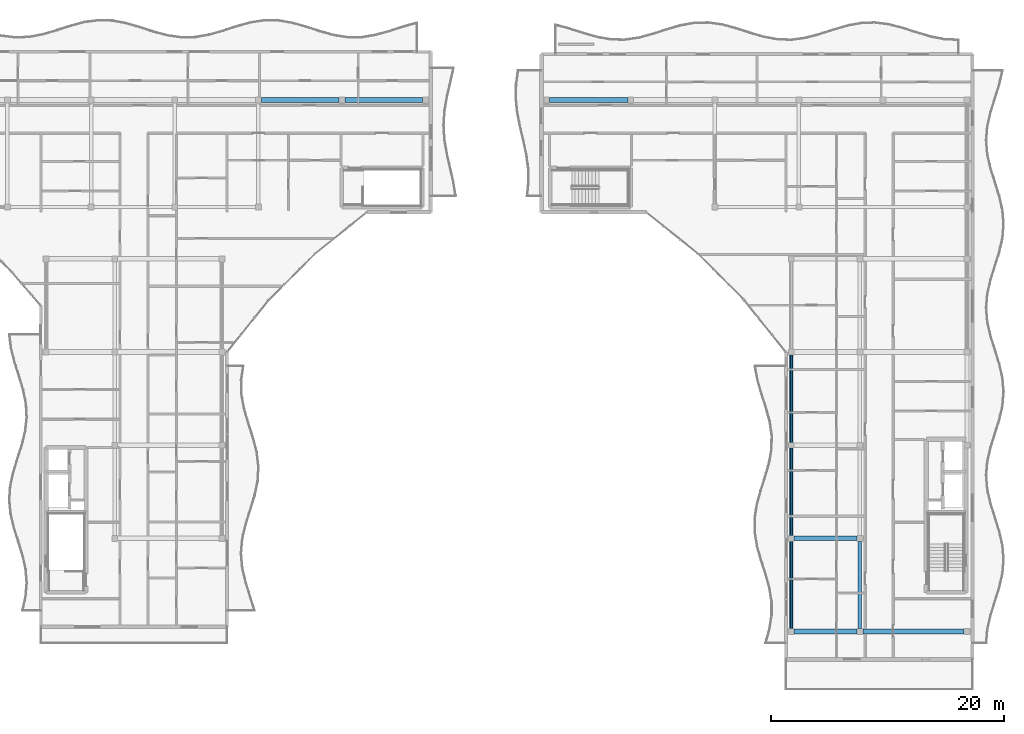
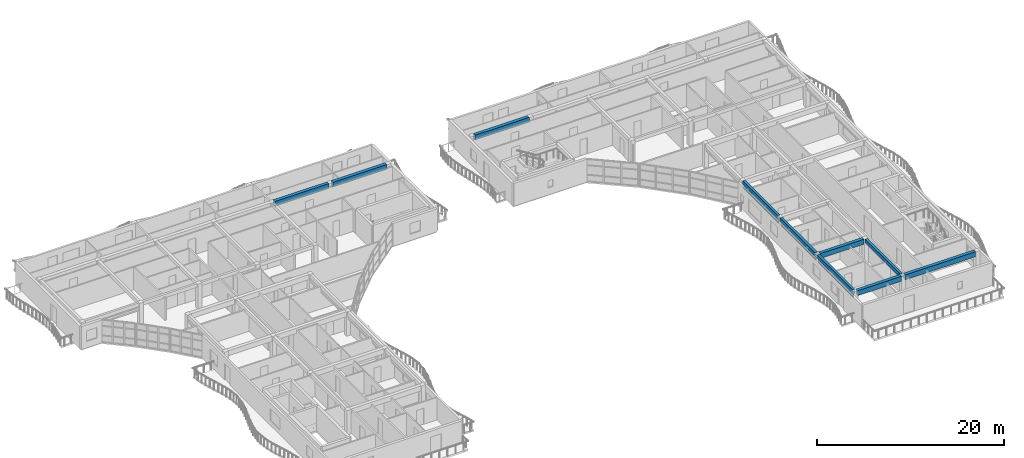
# One storey, part 6 of 30: 10 beams, 6 members.
"""IFC4 building model written with IfcOpenShell, lengths in metres."""

import ifcopenshell
import ifcopenshell.guid

model = None  # the IFC model being written
_history = None  # IfcOwnerHistory: only IFC2X3 demands one
_inside = {}  # id of a spatial element -> (the spatial element, [elements in it])
_under = {}  # id of a project, library or spatial element -> (it, [spatial elements below it])
_declared = {}  # id of a project -> (the project, [libraries it declares])
_typed = {}  # id of a type object -> (the type object, [elements of that type])
_made_of = {}  # id of a material, layer set ... -> (it, [elements and type objects made of it])


def new_model(schema):
    """Start an empty IFC model of exactly this schema.

    Asked for "IFC4X3", IfcOpenShell would pick the latest addendum, in which some entities
    have other attributes; the version numbers below select the first issue.
    IFC2X3 requires an IfcOwnerHistory on every rooted entity: one is made here for all.
    """
    global model, _history
    if schema == "IFC4X3":
        model = ifcopenshell.file(schema_version=(4, 3, 0, 0))
    else:
        model = ifcopenshell.file(schema=schema)
    _inside.clear()
    _under.clear()
    _declared.clear()
    _typed.clear()
    _made_of.clear()
    _history = None
    if model.schema == "IFC2X3":
        org = make("IfcOrganization", Name="unknown")
        user = make(
            "IfcPersonAndOrganization",
            ThePerson=make("IfcPerson", FamilyName="unknown"),
            TheOrganization=org,
        )
        app = make(
            "IfcApplication",
            ApplicationDeveloper=org,
            Version="unknown",
            ApplicationFullName="unknown",
            ApplicationIdentifier="unknown",
        )
        _history = make(
            "IfcOwnerHistory",
            OwningUser=user,
            OwningApplication=app,
            ChangeAction="ADDED",
            CreationDate=0,
        )
    return model


def make(cls, **values):
    """One entity of the class cls with the attributes given. An attribute that is None is left unset."""
    return model.create_entity(
        cls, **{name: value for name, value in values.items() if value is not None}
    )


def rooted(cls, **values):
    """An entity with a GlobalId (a new one), such as an element, a storey or a relation."""
    return make(cls, GlobalId=ifcopenshell.guid.new(), OwnerHistory=_history, **values)


def si_unit(unit_type, name, prefix=None):
    """IfcSIUnit, for example si_unit("LENGTHUNIT", "METRE", prefix="MILLI")."""
    return make("IfcSIUnit", UnitType=unit_type, Prefix=prefix, Name=name)


def assignment(units):
    """IfcUnitAssignment: the units of a project."""
    return None if units is None else make("IfcUnitAssignment", Units=units)


def point(xyz):
    """IfcCartesianPoint."""
    return None if xyz is None else make("IfcCartesianPoint", Coordinates=xyz)


def direction(xyz):
    """IfcDirection."""
    return None if xyz is None else make("IfcDirection", DirectionRatios=xyz)


def frame(location, z_axis=None, x_axis=None):
    """IfcAxis2Placement3D, a coordinate frame: its origin and axes. An axis left out is left unset."""
    return make(
        "IfcAxis2Placement3D",
        Location=point(location),
        Axis=direction(z_axis),
        RefDirection=direction(x_axis),
    )


def frame_2d(location, x_axis=None):
    """IfcAxis2Placement2D, a coordinate frame in the plane: its origin and x axis."""
    return make(
        "IfcAxis2Placement2D", Location=point(location), RefDirection=direction(x_axis)
    )


def origin():
    """The frame at (0, 0, 0) with its axes left unset."""
    return frame((0.0, 0.0, 0.0))


def origin_2d():
    """The frame at (0, 0) in the plane with its x axis left unset."""
    return frame_2d((0.0, 0.0))


def place(relative_to, where):
    """IfcLocalPlacement: puts the frame where relative to a parent placement (None: the world)."""
    return make(
        "IfcLocalPlacement", PlacementRelTo=relative_to, RelativePlacement=where
    )


def context(
    kind, dimensions, precision=None, world=None, true_north=None, identifier=None
):
    """IfcGeometricRepresentationContext, for example the 3D "Model" context."""
    return make(
        "IfcGeometricRepresentationContext",
        ContextIdentifier=identifier,
        ContextType=kind,
        CoordinateSpaceDimension=dimensions,
        Precision=precision,
        WorldCoordinateSystem=world,
        TrueNorth=true_north,
    )


def subcontext(parent, identifier, kind, view, scale=None):
    """IfcGeometricRepresentationSubContext, for example "Body" below "Model"."""
    return make(
        "IfcGeometricRepresentationSubContext",
        ContextIdentifier=identifier,
        ContextType=kind,
        ParentContext=parent,
        TargetScale=scale,
        TargetView=view,
    )


def project(units=None, contexts=None):
    """IfcProject with its units and contexts."""
    return rooted(
        "IfcProject",
        Name="project",
        RepresentationContexts=contexts,
        UnitsInContext=assignment(units),
    )


def spatial(cls, under=None, at=None, **own):
    """A site, building, storey or space (cls), placed at a placement, below another one or the project."""
    s = rooted(cls, ObjectPlacement=at, **own)
    if under is not None:
        _under.setdefault(under.id(), (under, []))[1].append(s)
    return s


def profile(cls, at=None, kind="AREA", **sizes):
    """A parametric profile (cls). Its sizes go by their IFC names, for example OverallWidth=200.0."""
    return make(cls, ProfileType=kind, Position=at, **sizes)


def rectangle(**sizes):
    """IfcRectangleProfileDef."""
    return profile("IfcRectangleProfileDef", **sizes)


def hollow_rectangle(**sizes):
    """IfcRectangleHollowProfileDef."""
    return profile("IfcRectangleHollowProfileDef", **sizes)


def extrude(swept, where, along, depth):
    """IfcExtrudedAreaSolid: the profile swept, set in the frame where, extruded along a direction by depth."""
    return make(
        "IfcExtrudedAreaSolid",
        SweptArea=swept,
        Position=where,
        ExtrudedDirection=direction(along),
        Depth=depth,
    )


def shape(context_of_items, identifier, shape_type, items):
    """IfcShapeRepresentation: the items that make up one representation, for example the "Body"."""
    return make(
        "IfcShapeRepresentation",
        ContextOfItems=context_of_items,
        RepresentationIdentifier=identifier,
        RepresentationType=shape_type,
        Items=items,
    )


def material(Name=None, Category=None):
    """IfcMaterial."""
    return make("IfcMaterial", Name=Name, Category=Category)


def material_profile(
    of_material, cross_section, Name=None, Category=None, Priority=None
):
    """IfcMaterialProfile: a cross section and its material."""
    return make(
        "IfcMaterialProfile",
        Name=Name,
        Material=of_material,
        Profile=cross_section,
        Priority=Priority,
        Category=Category,
    )


def profile_set(profiles, Name=None, composite=None):
    """IfcMaterialProfileSet."""
    return make(
        "IfcMaterialProfileSet",
        Name=Name,
        MaterialProfiles=profiles,
        CompositeProfile=composite,
    )


def made_of(thing, what):
    """Note that an element or type object is made of a material, layer set ...; save() writes the relation."""
    if what is not None:
        _made_of.setdefault(what.id(), (what, []))[1].append(thing)
    return thing


def type_object(cls, material=None, **own):
    """A type object (cls), such as IfcWallType, which elements share."""
    return made_of(rooted(cls, **own), material)


def element(
    cls,
    number,
    at=None,
    inside=None,
    cuts=None,
    type_object=None,
    material=None,
    context=None,
    identifier="Body",
    shape_type=None,
    held_by="IfcProductDefinitionShape",
    body=None,
    shapes=None,
    **own,
):
    """One element of the class cls, such as IfcWall. Its Tag is "e" and its number.

    at: its placement. inside: the storey or other place that contains it. cuts: it is an
    opening in that element (IfcRelVoidsElement). A single representation is given by context,
    identifier, shape_type and body (its items); several are given by shapes. held_by: the class
    of the entity that holds the representations. save() writes the other relations.
    """
    e = rooted(cls, Tag="e%d" % number, ObjectPlacement=at, **own)
    if body is not None:
        shapes = [shape(context, identifier, shape_type, body)]
    if shapes is not None:
        e.Representation = make(held_by, Representations=shapes)
    if inside is not None:
        _inside.setdefault(inside.id(), (inside, []))[1].append(e)
    if cuts is not None:
        rooted(
            "IfcRelVoidsElement", RelatingBuildingElement=cuts, RelatedOpeningElement=e
        )
    if type_object is not None:
        _typed.setdefault(type_object.id(), (type_object, []))[1].append(e)
    return made_of(e, material)


def aggregate(whole, parts):
    """IfcRelAggregates: a whole, such as a stair, and the parts it consists of."""
    return rooted("IfcRelAggregates", RelatingObject=whole, RelatedObjects=parts)


def save(model, path):
    """Write the relations noted so far, then the file.

    IfcRelAggregates (storeys below a building ...), IfcRelContainedInSpatialStructure (elements
    in a storey), IfcRelDefinesByType, IfcRelAssociatesMaterial and IfcRelDeclares: one each for
    every whole, place, type object, material and project.
    """
    for whole, parts in _under.values():
        aggregate(whole, parts)
    for where, things in _inside.values():
        rooted(
            "IfcRelContainedInSpatialStructure",
            RelatedElements=things,
            RelatingStructure=where,
        )
    for kind, things in _typed.values():
        rooted("IfcRelDefinesByType", RelatedObjects=things, RelatingType=kind)
    for what, things in _made_of.values():
        rooted("IfcRelAssociatesMaterial", RelatedObjects=things, RelatingMaterial=what)
    for by, libraries in _declared.values():
        rooted("IfcRelDeclares", RelatingContext=by, RelatedDefinitions=libraries)
    model.write(path)


model = new_model("IFC4")

# Units and contexts
model_context = context("Model", 3, precision=1e-05, world=origin(), true_north=direction((0.0, 1.0)))
body_context = subcontext(model_context, "Body", "Model", "MODEL_VIEW")
ifc_project = project(units=[si_unit("LENGTHUNIT", "METRE"), si_unit("AREAUNIT", "SQUARE_METRE"), si_unit("VOLUMEUNIT", "CUBIC_METRE"), si_unit("PLANEANGLEUNIT", "RADIAN"), si_unit("MASSUNIT", "GRAM", prefix="KILO")], contexts=[model_context])

# Site, building, storey
site_placement = place(None, origin())
site = spatial("IfcSite", under=ifc_project, at=site_placement, CompositionType="ELEMENT")
building_placement = place(site_placement, origin())
building = spatial("IfcBuilding", under=site, at=building_placement, Name="Keldmere Railside Commons", CompositionType="ELEMENT")
storey_placement = place(building_placement, frame((0.0, 0.0, 36.159912109375)))
storey = spatial("IfcBuildingStorey", under=building, at=storey_placement, Name="L11", CompositionType="ELEMENT", Elevation=36.159912109375)

# Members
ifc_material_1 = material(Name="Steel F-36 (S355)", Category="steel")
ifc_material_profile_1 = material_profile(ifc_material_1, hollow_rectangle(XDim=0.14990234375, YDim=0.25, WallThickness=0.010009765625, at=origin_2d()), Name="RHS-250x150x10")
ifc_profile_set_1 = profile_set([ifc_material_profile_1], Name="Steel F-36 (S355)")
member_type_1 = type_object("IfcMemberType", Name="Balcony Continuous Planted Trough RHS250x150", PredefinedType="CHORD", material=ifc_profile_set_1)
for number, where, z_axis, x_axis, name in (
    (1, (168.449951171875, 64.25, 2.4150390625), (0.0, 1.0, 0.0), (-1.0, 0.0, 0.0), "PLT-1 MEM-BPLT-1019"),
    (2, (168.449951171875, 72.25, 2.4150390625), (0.0, 1.0, 0.0), (-1.0, 0.0, 0.0), "PLT-1 MEM-BPLT-1021"),
    (3, (168.449951171875, 80.25, 2.4150390625), (0.0, 1.0, 0.0), (-1.0, 0.0, 0.0), "PLT-1 MEM-BPLT-1023"),
):
    element("IfcMember", number, at=place(storey_placement, frame(where, z_axis=z_axis, x_axis=x_axis)), inside=storey, type_object=member_type_1, Name=name, PredefinedType="CHORD", context=body_context, shape_type="SweptSolid", body=[
        extrude(hollow_rectangle(XDim=0.14990234375, YDim=0.25, WallThickness=0.010009765625, at=origin_2d()), origin(), (0.0, 0.0, 1.0), 7.5),
    ])

# Beams
ifc_material_2 = material(Name="Concrete H-30 (C30/37)", Category="concrete")
ifc_material_profile_2 = material_profile(ifc_material_2, rectangle(XDim=0.39990234375, YDim=0.64990234375, at=origin_2d()), Name="RC-400x650")
ifc_profile_set_2 = profile_set([ifc_material_profile_2], Name="Concrete H-30 (C30/37)")
beam_type_1 = type_object("IfcBeamType", Name="Residential Spine RC Girder 400x650", PredefinedType="BEAM", material=ifc_profile_set_2)
beam_1_placement = place(storey_placement, frame((168.699951171875, 64.0, 2.875), z_axis=(1.0, 0.0, 0.0), x_axis=(0.0, 1.0, 0.0)))
element("IfcBeam", 4, at=beam_1_placement, inside=storey, type_object=beam_type_1, Name="BG-3 BM-L11-2428", PredefinedType="BEAM", context=body_context, shape_type="SweptSolid", body=[
    extrude(rectangle(XDim=0.39990234375, YDim=0.64990234375, at=origin_2d()), origin(), (0.0, 0.0, 1.0), 5.400146484375),
])
beam_2_placement = place(storey_placement, frame((174.60009765625, 64.0, 2.875), z_axis=(1.0, 0.0, 0.0), x_axis=(0.0, 1.0, 0.0)))
element("IfcBeam", 5, at=beam_2_placement, inside=storey, type_object=beam_type_1, Name="BG-3 BM-L11-2429", PredefinedType="BEAM", context=body_context, shape_type="SweptSolid", body=[
    extrude(rectangle(XDim=0.39990234375, YDim=0.64990234375, at=origin_2d()), origin(), (0.0, 0.0, 1.0), 8.699951171875),
])
beam_3_placement = place(storey_placement, frame((168.699951171875, 72.0, 2.875), z_axis=(1.0, 0.0, 0.0), x_axis=(0.0, 1.0, 0.0)))
element("IfcBeam", 6, at=beam_3_placement, inside=storey, type_object=beam_type_1, Name="BG-3 BM-L11-2431", PredefinedType="BEAM", context=body_context, shape_type="SweptSolid", body=[
    extrude(rectangle(XDim=0.39990234375, YDim=0.64990234375, at=origin_2d()), origin(), (0.0, 0.0, 1.0), 5.400146484375),
])
beam_4_placement = place(storey_placement, frame((122.93310546875, 109.64990234375, 2.875), z_axis=(1.0, 0.0, 0.0), x_axis=(0.0, 1.0, 0.0)))
element("IfcBeam", 7, at=beam_4_placement, inside=storey, type_object=beam_type_1, Name="BG-3 BM-L11-2452", PredefinedType="BEAM", context=body_context, shape_type="SweptSolid", body=[
    extrude(rectangle(XDim=0.39990234375, YDim=0.64990234375, at=origin_2d()), origin(), (0.0, 0.0, 1.0), 6.683837890625),
])
beam_5_placement = place(storey_placement, frame((130.116943359375, 109.64990234375, 2.875), z_axis=(1.0, 0.0, 0.0), x_axis=(0.0, 1.0, 0.0)))
element("IfcBeam", 8, at=beam_5_placement, inside=storey, type_object=beam_type_1, Name="BG-3 BM-L11-2453", PredefinedType="BEAM", context=body_context, shape_type="SweptSolid", body=[
    extrude(rectangle(XDim=0.39990234375, YDim=0.64990234375, at=origin_2d()), origin(), (0.0, 0.0, 1.0), 6.68310546875),
])
beam_6_placement = place(storey_placement, frame((147.699951171875, 109.64990234375, 2.875), z_axis=(1.0, 0.0, 0.0), x_axis=(0.0, 1.0, 0.0)))
element("IfcBeam", 9, at=beam_6_placement, inside=storey, type_object=beam_type_1, Name="BG-3 BM-L11-2454", PredefinedType="BEAM", context=body_context, shape_type="SweptSolid", body=[
    extrude(rectangle(XDim=0.39990234375, YDim=0.64990234375, at=origin_2d()), origin(), (0.0, 0.0, 1.0), 6.719970703125),
])
ifc_material_profile_3 = material_profile(ifc_material_2, rectangle(XDim=0.300048828125, YDim=0.5, at=origin_2d()), Name="RC-300x500")
ifc_profile_set_3 = profile_set([ifc_material_profile_3], Name="Concrete H-30 (C30/37)")
beam_type_2 = type_object("IfcBeamType", Name="Secondary Frame RC Beam 300x500", PredefinedType="BEAM", material=ifc_profile_set_3)
for number, where, z_axis, x_axis, name in (
    (10, (168.449951171875, 64.25, 2.9501953125), (0.0, 1.0, 0.0), (-1.0, 0.0, 0.0), "BG-5 BM-L11-2472"),
    (11, (168.449951171875, 72.25, 2.9501953125), (0.0, 1.0, 0.0), (-1.0, 0.0, 0.0), "BG-5 BM-L11-2473"),
    (12, (168.449951171875, 80.25, 2.9501953125), (0.0, 1.0, 0.0), (-1.0, 0.0, 0.0), "BG-5 BM-L11-2474"),
    (13, (174.35009765625, 64.25, 2.9501953125), (0.0, 1.0, 0.0), (-1.0, 0.0, 0.0), "BG-5 BM-L11-2477"),
):
    element("IfcBeam", number, at=place(storey_placement, frame(where, z_axis=z_axis, x_axis=x_axis)), inside=storey, type_object=beam_type_2, Name=name, PredefinedType="BEAM", context=body_context, shape_type="SweptSolid", body=[
        extrude(rectangle(XDim=0.300048828125, YDim=0.5, at=origin_2d()), origin(), (0.0, 0.0, 1.0), 7.5),
    ])

# Members
ifc_material_profile_4 = material_profile(ifc_material_1, hollow_rectangle(XDim=0.10009765625, YDim=0.159912109375, WallThickness=0.008056640625, at=origin_2d()), Name="RHS-160x100x8")
ifc_profile_set_4 = profile_set([ifc_material_profile_4], Name="Steel F-36 (S355)")
member_type_2 = type_object("IfcMemberType", Name="Solar Brise-Soleil Louvre Fin RHS160x100", PredefinedType="STRUT", material=ifc_profile_set_4)
for number, where, z_axis, x_axis, name in (
    (14, (168.449951171875, 64.25, 2.2001953125), (0.0, 1.0, 0.0), (-1.0, 0.0, 0.0), "BSF-1 MEM-BSF-1020"),
    (15, (168.449951171875, 72.25, 2.2001953125), (0.0, 1.0, 0.0), (-1.0, 0.0, 0.0), "BSF-1 MEM-BSF-1022"),
    (16, (168.449951171875, 80.25, 2.2001953125), (0.0, 1.0, 0.0), (-1.0, 0.0, 0.0), "BSF-1 MEM-BSF-1024"),
):
    element("IfcMember", number, at=place(storey_placement, frame(where, z_axis=z_axis, x_axis=x_axis)), inside=storey, type_object=member_type_2, Name=name, PredefinedType="STRUT", context=body_context, shape_type="SweptSolid", body=[
        extrude(hollow_rectangle(XDim=0.10009765625, YDim=0.159912109375, WallThickness=0.008056640625, at=origin_2d()), origin(), (0.0, 0.0, 1.0), 7.5),
    ])

save(model, "model.ifc")
